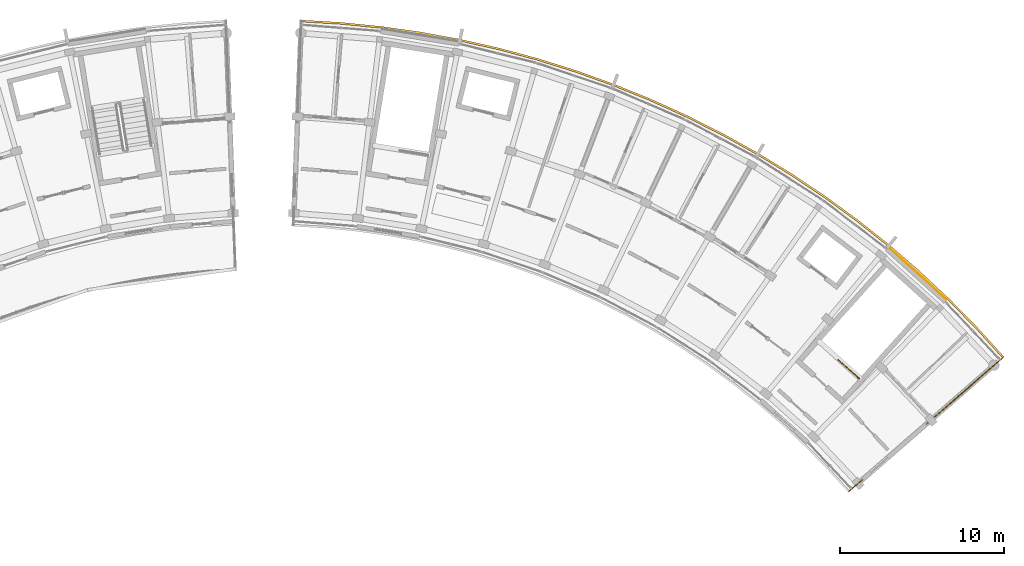
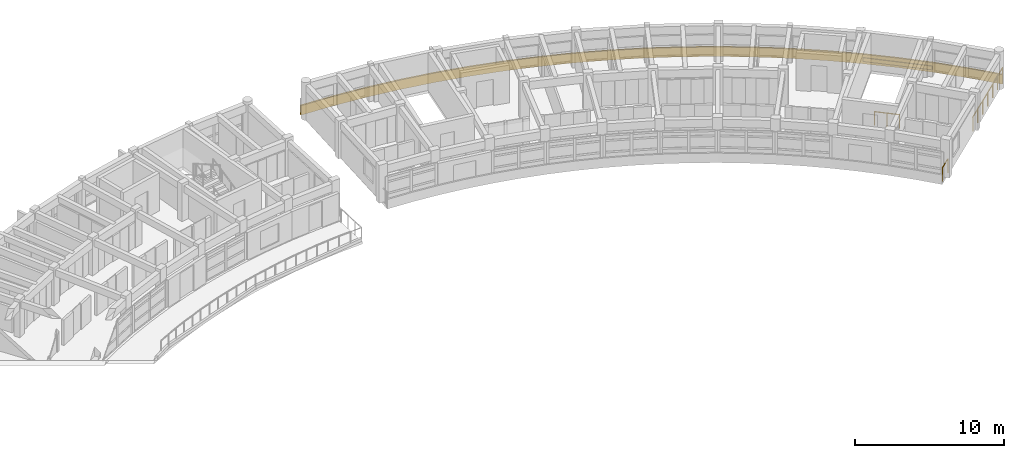
# One storey, part 23 of 23: 4 railings, 1 covering.
"""IFC4 building model written with IfcOpenShell, lengths in metres."""

from ifc_helpers import new_model, si_unit, direction, frame, origin, origin_2d, place, context, subcontext, project, spatial, polyline, rectangle, circle, outline, extrude, material, layer, layer_set, type_object, element, save


model = new_model("IFC4")

# Units and contexts
model_context = context("Model", 3, precision=1e-05, world=origin(), true_north=direction((0.0, 1.0)))
body_context = subcontext(model_context, "Body", "Model", "MODEL_VIEW")
ifc_project = project(units=[si_unit("LENGTHUNIT", "METRE"), si_unit("AREAUNIT", "SQUARE_METRE"), si_unit("VOLUMEUNIT", "CUBIC_METRE"), si_unit("PLANEANGLEUNIT", "RADIAN"), si_unit("MASSUNIT", "GRAM", prefix="KILO")], contexts=[model_context])

# Site, building, storey
site_placement = place(None, origin())
site = spatial("IfcSite", under=ifc_project, at=site_placement, CompositionType="ELEMENT")
building_placement = place(site_placement, origin())
building = spatial("IfcBuilding", under=site, at=building_placement, Name="Zimvara Arc Housing Community", CompositionType="ELEMENT")
storey_placement = place(building_placement, frame((0.0, 0.0, 36.0)))
storey = spatial("IfcBuildingStorey", under=building, at=storey_placement, Name="L11", CompositionType="ELEMENT", Elevation=36.0)

# Covering
ifc_material_1 = material(Name="Pale-Gold Anodised Aluminium Cladding", Category="aluminium")
ifc_layer = layer(ifc_material_1, 0.0400390625)
ifc_layer_set = layer_set([ifc_layer], Name="Pale-Gold Anodised Aluminium Cladding")
covering_type = type_object("IfcCoveringType", Name="CLD-GOLD-01", PredefinedType="CLADDING", material=ifc_layer_set)
covering_placement = place(storey_placement, frame((84.78515625, 88.716796875, 0.009765625), z_axis=(0.0, 0.0, 1.0), x_axis=(0.74337718344, -0.668872456557, 0.0)))
element("IfcCovering", 1, at=covering_placement, inside=storey, type_object=covering_type, Name="cld:blkB:L11:out:b8", PredefinedType="CLADDING", context=body_context, shape_type="SweptSolid", body=[
    extrude(rectangle(XDim=4.748779296875, YDim=0.0400390625, at=origin_2d()), origin(), (0.0, 0.0, 1.0), 0.300048828125),
])

# Railings
ifc_material_2 = material(Name="Anodised Aluminium AW-6063", Category="aluminium")
railing_type_1 = type_object("IfcRailingType", Name="RLG-BAL-1120", PredefinedType="BALUSTRADE", material=ifc_material_2)
railing_1_placement = place(storey_placement, frame((81.234619140625, 82.31884765625, 0.0)))
element("IfcRailing", 2, at=railing_1_placement, inside=storey, type_object=railing_type_1, Name="L11 ST-B2 top well guard 1", PredefinedType="BALUSTRADE", context=body_context, shape_type="SweptSolid", body=[
    extrude(circle(Radius=0.02392578125, at=origin_2d()), frame((0.0, 0.0, 1.09619140625), z_axis=(-0.743315318548, 0.668941206095, 0.0), x_axis=(-0.668941206095, -0.743315318548, 0.0)), (0.0, 0.0, 1.0), 1.719970703125),
    extrude(circle(Radius=0.02099609375, at=origin_2d()), origin(), (0.0, 0.0, 1.0), 1.072021484375),
    extrude(circle(Radius=0.02099609375, at=origin_2d()), frame((-0.63916015625, 0.5751953125, 0.0)), (0.0, 0.0, 1.0), 1.072021484375),
    extrude(circle(Radius=0.02099609375, at=origin_2d()), frame((-1.278564453125, 1.150634765625, 0.0)), (0.0, 0.0, 1.0), 1.072021484375),
])
ifc_material_3 = material(Name="Anodised Aluminium AW-6063", Category="aluminium")
railing_type_2 = type_object("IfcRailingType", Name="RLG-BAL-1150", PredefinedType="BALUSTRADE", material=ifc_material_3)
railing_2_placement = place(storey_placement, frame((80.622314453125, 75.466064453125, 0.0)))
element("IfcRailing", 3, at=railing_2_placement, inside=storey, type_object=railing_type_2, Name="rlg:blkB:L11:gable_in:gN", PredefinedType="BALUSTRADE", context=body_context, shape_type="SweptSolid", body=[
    extrude(circle(Radius=0.02392578125, at=origin_2d()), frame((0.0, 0.0, 1.1259765625), z_axis=(0.75477095777, 0.655988415528, 0.0), x_axis=(-0.655988415528, 0.75477095777, 0.0)), (0.0, 0.0, 1.0), 1.080078125),
    extrude(circle(Radius=0.02099609375, at=origin_2d()), origin(), (0.0, 0.0, 1.0), 1.101806640625),
    extrude(circle(Radius=0.02099609375, at=origin_2d()), frame((0.815185546875, 0.70849609375, 0.0)), (0.0, 0.0, 1.0), 1.101806640625),
])
railing_3_placement = place(storey_placement, frame((85.331787109375, 79.559814453125, 0.0)))
element("IfcRailing", 4, at=railing_3_placement, inside=storey, type_object=railing_type_2, Name="rlg:blkB:L11:gable_out:gN", PredefinedType="BALUSTRADE", context=body_context, shape_type="SweptSolid", body=[
    extrude(circle(Radius=0.02392578125, at=origin_2d()), frame((0.0, 0.0, 1.1259765625), z_axis=(0.754708757217, 0.656059975749, 0.0), x_axis=(-0.656059975749, 0.754708757217, 0.0)), (0.0, 0.0, 1.0), 6.159912109375),
    extrude(circle(Radius=0.02099609375, at=origin_2d()), origin(), (0.0, 0.0, 1.0), 1.101806640625),
    extrude(circle(Radius=0.02099609375, at=origin_2d()), frame((0.77490234375, 0.673583984375, 0.0)), (0.0, 0.0, 1.0), 1.101806640625),
    extrude(circle(Radius=0.02099609375, at=origin_2d()), frame((1.549560546875, 1.34716796875, 0.0)), (0.0, 0.0, 1.0), 1.101806640625),
    extrude(circle(Radius=0.02099609375, at=origin_2d()), frame((2.324462890625, 2.0205078125, 0.0)), (0.0, 0.0, 1.0), 1.101806640625),
    extrude(circle(Radius=0.02099609375, at=origin_2d()), frame((3.099365234375, 2.694091796875, 0.0)), (0.0, 0.0, 1.0), 1.101806640625),
    extrude(circle(Radius=0.02099609375, at=origin_2d()), frame((3.8740234375, 3.36767578125, 0.0)), (0.0, 0.0, 1.0), 1.101806640625),
    extrude(circle(Radius=0.02099609375, at=origin_2d()), frame((4.64892578125, 4.041259765625, 0.0)), (0.0, 0.0, 1.0), 1.101806640625),
])
ifc_material_4 = material(Name="Pale-Gold Anodised Aluminium AW-6063", Category="aluminium")
railing_type_3 = type_object("IfcRailingType", Name="RLG-FAS-780", PredefinedType="BALUSTRADE", material=ifc_material_4)
railing_4_placement = place(storey_placement, frame((0.0, 0.0, -0.219970703125)))
element("IfcRailing", 5, at=railing_4_placement, inside=storey, type_object=railing_type_3, Name="rlg:blkB:L11:gold_out", PredefinedType="BALUSTRADE", context=body_context, shape_type="SweptSolid", body=[
    extrude(outline(polyline([(47.286376953125, 104.01611328125), (49.71435546875, 103.873046875), (52.134765625, 103.631103515625), (54.54296875, 103.29052734375), (56.935546875, 102.851806640625), (59.307861328125, 102.31591796875), (61.65673828125, 101.68359375), (63.9775390625, 100.955810546875), (66.266845703125, 100.1337890625), (68.5205078125, 99.218994140625), (70.735107421875, 98.213134765625), (72.90673828125, 97.11767578125), (75.03173828125, 95.934326171875), (77.106689453125, 94.665283203125), (79.128173828125, 93.3125), (81.0927734375, 91.87841796875), (82.9970703125, 90.365234375), (84.837890625, 88.775634765625), (86.612548828125, 87.112060546875), (88.317626953125, 85.377685546875), (89.950439453125, 83.574951171875), (90.041015625, 83.653564453125), (88.40478515625, 85.4599609375), (86.6962890625, 87.197998046875), (84.918212890625, 88.86474609375), (83.073486328125, 90.457763671875), (81.165283203125, 91.973876953125), (79.197021484375, 93.410888671875), (77.17138671875, 94.766357421875), (75.09228515625, 96.037841796875), (72.962890625, 97.2236328125), (70.786865234375, 98.3212890625), (68.56787109375, 99.329345703125), (66.3095703125, 100.245849609375), (64.015625, 101.069580078125), (61.690185546875, 101.798583984375), (59.3369140625, 102.432373046875), (56.95947265625, 102.969482421875), (54.562255859375, 103.408935546875), (52.149169921875, 103.750244140625), (49.723876953125, 103.99267578125), (47.291015625, 104.135986328125), (47.286376953125, 104.01611328125)])), origin(), (0.0, 0.0, 1.0), 0.780029296875),
])

save(model, "model.ifc")
